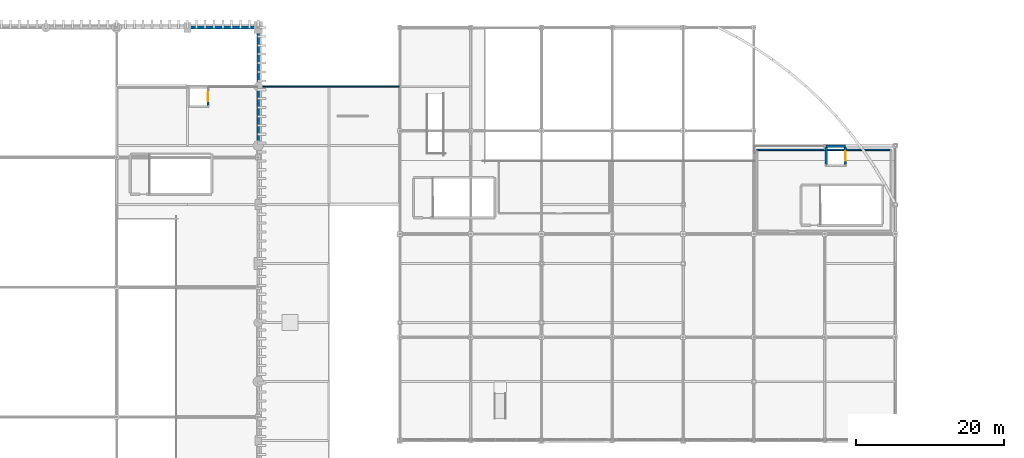
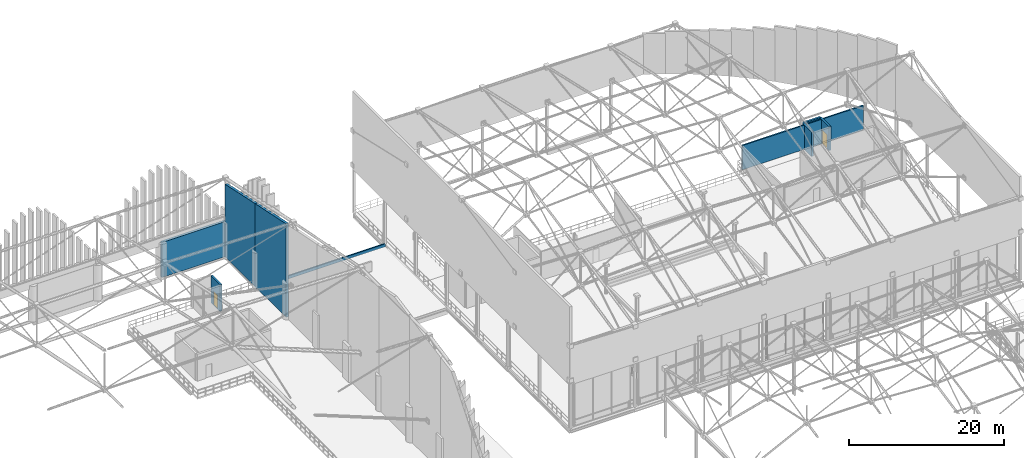
# One storey, part 160 of 193: 9 walls, 2 doors, 2 openings.
"""IFC4 building model written with IfcOpenShell, lengths in metres."""

from ifc_helpers import new_model, si_unit, direction, frame, frame_2d, origin, place, context, subcontext, project, spatial, polyline, rectangle, outline, extrude, material, layer, layer_set, type_object, element, fill, save


model = new_model("IFC4")

# Units and contexts
model_context = context("Model", 3, precision=1e-05, world=origin(), true_north=direction((0.0, 1.0)))
body_context = subcontext(model_context, "Body", "Model", "MODEL_VIEW")
ifc_project = project(units=[si_unit("LENGTHUNIT", "METRE"), si_unit("AREAUNIT", "SQUARE_METRE"), si_unit("VOLUMEUNIT", "CUBIC_METRE"), si_unit("PLANEANGLEUNIT", "RADIAN"), si_unit("MASSUNIT", "GRAM", prefix="KILO")], contexts=[model_context])

# Site, building, storey
site_placement = place(None, origin())
site = spatial("IfcSite", under=ifc_project, at=site_placement, CompositionType="ELEMENT")
building_placement = place(site_placement, origin())
building = spatial("IfcBuilding", under=site, at=building_placement, Name="Danafjord Basin Convention Centre", CompositionType="ELEMENT")
storey_placement = place(building_placement, frame((0.0, 0.0, 11.39990234375)))
storey = spatial("IfcBuildingStorey", under=building, at=storey_placement, Name="L02", CompositionType="ELEMENT", Elevation=11.39990234375)

# Wall, opening, door
ifc_material_1 = material(Name="Concrete C40/50", Category="concrete")
ifc_layer_1 = layer(ifc_material_1, 0.300048828125)
ifc_layer_set_1 = layer_set([ifc_layer_1], Name="Concrete C40/50")
wall_type_1 = type_object("IfcWallType", Name="WALL-CW-CORE300", PredefinedType="SHEAR", material=ifc_layer_set_1)
wall_1_placement = place(storey_placement, frame((108.39990234375, 133.43505859375, 0.0), z_axis=(0.0, 0.0, 1.0), x_axis=(0.0, 1.0, 0.0)))
wall_1 = element("IfcWall", 1, at=wall_1_placement, inside=storey, type_object=wall_type_1, Name="Lift LF-P04 shaft shear wall", PredefinedType="SHEAR", context=body_context, shape_type="SweptSolid", body=[
    extrude(rectangle(XDim=2.329833984375, YDim=0.300048828125, at=frame_2d((1.1650390625, 0.0))), origin(), (0.0, 0.0, 1.0), 4.255126953125),
])
opening_1_placement = place(wall_1_placement, frame((0.56494140625, 0.0, 0.0)))
opening_1 = element("IfcOpeningElement", 2, at=opening_1_placement, cuts=wall_1, Name="Opening LD-P01", PredefinedType="OPENING", context=body_context, shape_type="SweptSolid", body=[
    extrude(rectangle(XDim=1.199951171875, YDim=2.199951171875, at=frame_2d((0.60009765625, 1.10009765625))), frame((0.0, 0.159912109375, 0.0), z_axis=(0.0, -1.0, 0.0), x_axis=(1.0, 0.0, 0.0)), (0.0, 0.0, 1.0), 0.320068359375),
])
ifc_material_2 = material(Name="Brushed stainless steel and acoustic laminated glass", Category="steel")
door_type_1 = type_object("IfcDoorType", Name="DOOR-LD-P01", OperationType="DOUBLE_DOOR_SLIDING", PredefinedType="DOOR", material=ifc_material_2)
door_1_placement = place(opening_1_placement, origin())
door_1 = element("IfcDoor", 3, at=door_1_placement, inside=storey, type_object=door_type_1, Name="Lift LF-P04 L02 Landing Door", OperationType="DOUBLE_DOOR_SLIDING", OverallHeight=2.199951171875, OverallWidth=1.199951171875, PredefinedType="DOOR", context=body_context, shape_type="SweptSolid", body=[
    extrude(rectangle(XDim=1.199951171875, YDim=2.199951171875, at=frame_2d((0.60009765625, 1.10009765625))), frame((0.0, 0.02490234375, 0.0), z_axis=(0.0, -1.0, 0.0), x_axis=(1.0, 0.0, 0.0)), (0.0, 0.0, 1.0), 0.050048828125),
])
fill(opening_1, door_1)

# Wall
wall_2_placement = place(storey_placement, frame((194.800048828125, 127.89990234375, 0.0), z_axis=(0.0, 0.0, 1.0), x_axis=(-1.0, 0.0, 0.0)))
element("IfcWall", 4, at=wall_2_placement, inside=storey, type_object=wall_type_1, Name="Lift LF-P05 shaft shear wall", PredefinedType="SHEAR", context=body_context, shape_type="SweptSolid", body=[
    extrude(rectangle(XDim=2.60009765625, YDim=0.300048828125, at=frame_2d((1.300048828125, 0.0))), origin(), (0.0, 0.0, 1.0), 3.835205078125),
])

# Wall, opening, door
wall_3_placement = place(storey_placement, frame((194.800048828125, 125.43505859375, 0.0), z_axis=(0.0, 0.0, 1.0), x_axis=(0.0, 1.0, 0.0)))
wall_3 = element("IfcWall", 5, at=wall_3_placement, inside=storey, type_object=wall_type_1, Name="Lift LF-P05 shaft shear wall", PredefinedType="SHEAR", context=body_context, shape_type="SweptSolid", body=[
    extrude(rectangle(XDim=2.329833984375, YDim=0.300048828125, at=frame_2d((1.1650390625, 0.0))), origin(), (0.0, 0.0, 1.0), 3.835205078125),
])
opening_2_placement = place(wall_3_placement, frame((0.514892578125, 0.0, 0.0)))
opening_2 = element("IfcOpeningElement", 6, at=opening_2_placement, cuts=wall_3, Name="Opening LD-P02", PredefinedType="OPENING", context=body_context, shape_type="SweptSolid", body=[
    extrude(rectangle(XDim=1.300048828125, YDim=2.219970703125, at=frame_2d((0.64990234375, 1.10986328125))), frame((0.0, 0.159912109375, 0.0), z_axis=(0.0, -1.0, 0.0), x_axis=(1.0, 0.0, 0.0)), (0.0, 0.0, 1.0), 0.320068359375),
])
door_type_2 = type_object("IfcDoorType", Name="DOOR-LD-P02", OperationType="DOUBLE_DOOR_SLIDING", PredefinedType="DOOR", material=ifc_material_2)
door_2_placement = place(opening_2_placement, origin())
door_2 = element("IfcDoor", 7, at=door_2_placement, inside=storey, type_object=door_type_2, Name="Lift LF-P05 L02 Landing Door", OperationType="DOUBLE_DOOR_SLIDING", OverallHeight=2.219970703125, OverallWidth=1.300048828125, PredefinedType="DOOR", context=body_context, shape_type="SweptSolid", body=[
    extrude(rectangle(XDim=1.300048828125, YDim=2.219970703125, at=frame_2d((0.64990234375, 1.10986328125))), frame((0.0, 0.02490234375, 0.0), z_axis=(0.0, -1.0, 0.0), x_axis=(1.0, 0.0, 0.0)), (0.0, 0.0, 1.0), 0.050048828125),
])
fill(opening_2, door_2)

# Walls
wall_4_placement = place(storey_placement, frame((192.199951171875, 127.764892578125, 0.0), z_axis=(0.0, 0.0, 1.0), x_axis=(0.0, -1.0, 0.0)))
element("IfcWall", 8, at=wall_4_placement, inside=storey, type_object=wall_type_1, Name="Lift LF-P05 shaft shear wall", PredefinedType="SHEAR", context=body_context, shape_type="SweptSolid", body=[
    extrude(rectangle(XDim=2.329833984375, YDim=0.300048828125, at=frame_2d((1.1650390625, 0.0))), origin(), (0.0, 0.0, 1.0), 3.835205078125),
])
ifc_material_3 = material(Name="Precast concrete C45/55", Category="concrete")
ifc_layer_2 = layer(ifc_material_3, 0.3798828125)
ifc_layer_set_2 = layer_set([ifc_layer_2], Name="Precast concrete C45/55")
wall_type_2 = type_object("IfcWallType", Name="WALL-EW-PC380", PredefinedType="SOLIDWALL", material=ifc_layer_set_2)
wall_5_placement = place(storey_placement, frame((105.60009765625, 144.0, 0.0), z_axis=(0.0, 0.0, 1.0), x_axis=(1.0, 0.0, 0.0)))
element("IfcWall", 9, at=wall_5_placement, inside=storey, type_object=wall_type_2, Name="Exhibition hall N clerestory precast wall", PredefinedType="SOLIDWALL", context=body_context, shape_type="SweptSolid", body=[
    extrude(rectangle(XDim=9.599853515625, YDim=0.3798828125, at=frame_2d((4.7998046875, 0.0))), origin(), (0.0, 0.0, 1.0), 5.550048828125),
])
wall_6_placement = place(storey_placement, frame((115.199951171875, 128.0, 0.0), z_axis=(0.0, 0.0, 1.0), x_axis=(0.0, 1.0, 0.0)))
element("IfcWall", 10, at=wall_6_placement, inside=storey, type_object=wall_type_2, Name="Wave-crested architectural precast gable wall E-10", PredefinedType="SOLIDWALL", context=body_context, shape_type="SweptSolid", body=[
    extrude(outline(polyline([(0.0, 0.0), (8.0, 0.0), (8.0, 13.114013671875), (4.0, 13.946044921875), (0.0, 14.778076171875), (0.0, 0.0)])), frame((0.0, 0.18994140625, 0.0), z_axis=(0.0, -1.0, 0.0), x_axis=(1.0, 0.0, 0.0)), (0.0, 0.0, 1.0), 0.3798828125),
])
wall_7_placement = place(storey_placement, frame((115.199951171875, 136.0, 0.0), z_axis=(0.0, 0.0, 1.0), x_axis=(0.0, 1.0, 0.0)))
element("IfcWall", 11, at=wall_7_placement, inside=storey, type_object=wall_type_2, Name="Wave-crested architectural precast gable wall E-11", PredefinedType="SOLIDWALL", context=body_context, shape_type="SweptSolid", body=[
    extrude(outline(polyline([(0.0, 0.0), (7.824951171875, 0.0), (7.824951171875, 11.4501953125), (4.0, 12.281982421875), (0.0, 13.114013671875), (0.0, 0.0)])), frame((0.0, 0.18994140625, 0.0), z_axis=(0.0, -1.0, 0.0), x_axis=(1.0, 0.0, 0.0)), (0.0, 0.0, 1.0), 0.3798828125),
])
ifc_material_4 = material(Name="Precast concrete C40/50", Category="concrete")
ifc_layer_3 = layer(ifc_material_4, 0.18994140625)
ifc_layer_set_3 = layer_set([ifc_layer_3], Name="Precast concrete C40/50")
wall_type_3 = type_object("IfcWallType", Name="WALL-EW-PRP190", PredefinedType="PARAPET", material=ifc_layer_set_3)
wall_8_placement = place(storey_placement, frame((115.199951171875, 136.0, -0.419921875), z_axis=(0.0, 0.0, 1.0), x_axis=(1.0, 0.0, 0.0)))
element("IfcWall", 12, at=wall_8_placement, inside=storey, type_object=wall_type_3, Name="L02 precast roof curb upstand EW-PRP190", PredefinedType="PARAPET", context=body_context, shape_type="SweptSolid", body=[
    extrude(rectangle(XDim=19.199951171875, YDim=0.18994140625, at=frame_2d((9.60009765625, 0.0))), origin(), (0.0, 0.0, 1.0), 0.469970703125),
])
ifc_material_5 = material(Name="Concrete C35/45", Category="concrete")
ifc_layer_4 = layer(ifc_material_5, 0.205078125)
ifc_layer_set_4 = layer_set([ifc_layer_4], Name="Concrete C35/45")
wall_type_4 = type_object("IfcWallType", Name="WALL-W-COMP205", PredefinedType="SOLIDWALL", material=ifc_layer_set_4)
wall_9_placement = place(storey_placement, frame((200.8935546875, 127.39990234375, 0.0), z_axis=(0.0, 0.0, 1.0), x_axis=(-1.0, 0.0, 0.0)))
element("IfcWall", 13, at=wall_9_placement, inside=storey, type_object=wall_type_4, Name="Auditorium Dimmer AHU Plant Room north partition", PredefinedType="SOLIDWALL", context=body_context, shape_type="SweptSolid", body=[
    extrude(rectangle(XDim=18.093505859375, YDim=0.205078125, at=frame_2d((9.046875, 0.0))), origin(), (0.0, 0.0, 1.0), 3.835205078125),
])

save(model, "model.ifc")
